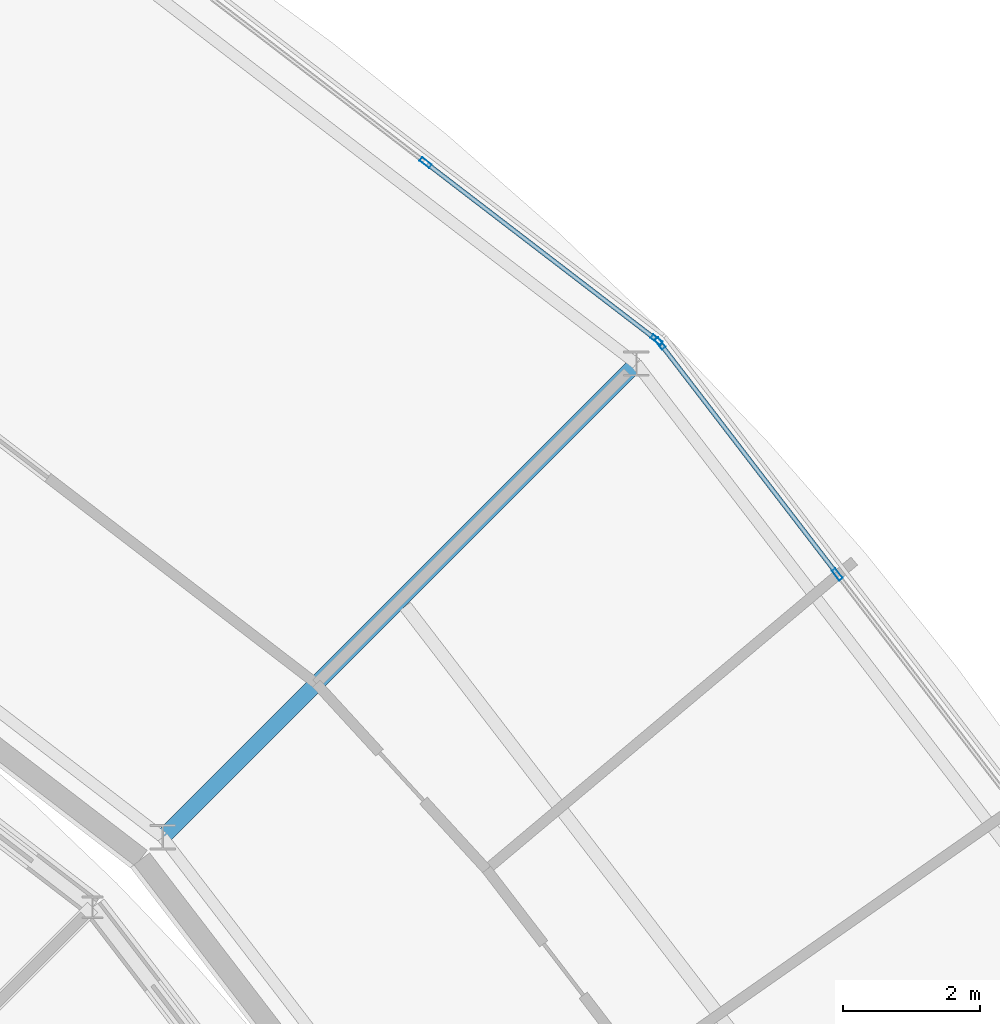
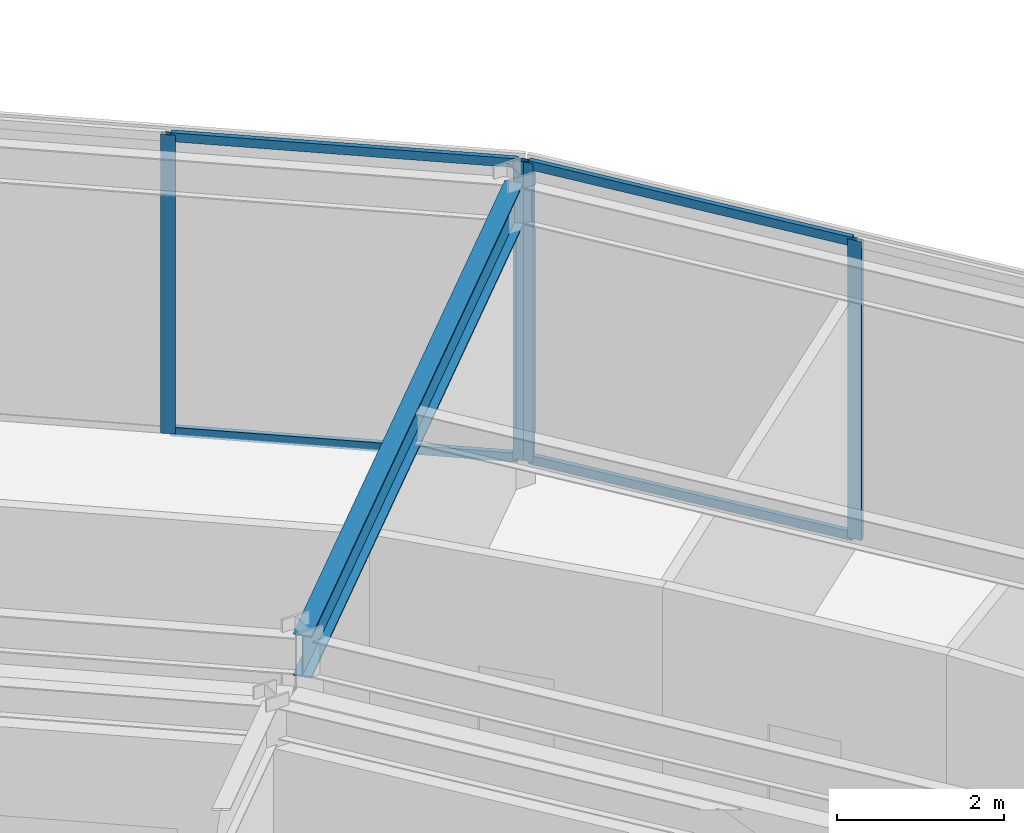
# One storey, part 86 of 157: 8 members, 1 beam, 2 elements without a shape of their own.
"""IFC4 building model written with IfcOpenShell, lengths in metres."""

from ifc_helpers import new_model, si_unit, direction, frame, origin, origin_2d, place, context, subcontext, project, spatial, hollow_rectangle, i_section, extrude, material, material_profile, profile_set, type_object, element, aggregate, save


model = new_model("IFC4")

# Units and contexts
model_context = context("Model", 3, precision=1e-05, world=origin(), true_north=direction((0.0, 1.0)))
body_context = subcontext(model_context, "Body", "Model", "MODEL_VIEW")
ifc_project = project(units=[si_unit("LENGTHUNIT", "METRE"), si_unit("AREAUNIT", "SQUARE_METRE"), si_unit("VOLUMEUNIT", "CUBIC_METRE"), si_unit("PLANEANGLEUNIT", "RADIAN"), si_unit("MASSUNIT", "GRAM", prefix="KILO")], contexts=[model_context])

# Site, building, storey
site_placement = place(None, origin())
site = spatial("IfcSite", under=ifc_project, at=site_placement, CompositionType="ELEMENT")
building_placement = place(site_placement, origin())
building = spatial("IfcBuilding", under=site, at=building_placement, Name="Almandine Court Research Institute", CompositionType="ELEMENT")
storey_placement = place(building_placement, frame((0.0, 0.0, 5.25)))
storey = spatial("IfcBuildingStorey", under=building, at=storey_placement, Name="L01", CompositionType="ELEMENT", Elevation=5.25)

# Beam
ifc_material_1 = material(Name="Steel ASTM A992 Grade 50", Category="steel")
ifc_material_profile_1 = material_profile(ifc_material_1, i_section(OverallWidth=0.22998046875, OverallDepth=0.616943359375, WebThickness=0.012939453125, FlangeThickness=0.02197265625, at=origin_2d()), Name="W610x140")
ifc_profile_set_1 = profile_set([ifc_material_profile_1], Name="Steel ASTM A992 Grade 50")
beam_type = type_object("IfcBeamType", Name="Beam-G-02", PredefinedType="BEAM", material=ifc_profile_set_1)
beam_placement = place(storey_placement, frame((114.64794921875, 83.64794921875, 4.06103515625), z_axis=(0.707106781187, 0.707106781187, 0.0), x_axis=(-0.707106781187, 0.707106781187, 0.0)))
element("IfcBeam", 1, at=beam_placement, inside=storey, type_object=beam_type, Name="L01 Drum Radial Girder 03", PredefinedType="BEAM", context=body_context, shape_type="SweptSolid", body=[
    extrude(i_section(OverallWidth=0.22998046875, OverallDepth=0.616943359375, WebThickness=0.012939453125, FlangeThickness=0.02197265625, at=origin_2d()), origin(), (0.0, 0.0, 1.0), 9.80029296875),
])

# Curtain wall, members
ifc_material_2 = material(Name="Unitised Curtain Wall Framing and Solar Glazing", Category="glass")
curtain_wall_type = type_object("IfcCurtainWallType", Name="CW-CWJ-19", PredefinedType="USERDEFINED", material=ifc_material_2)
curtain_wall_1_placement = place(storey_placement, origin())
curtain_wall_1 = element("IfcCurtainWall", 2, at=curtain_wall_1_placement, inside=storey, type_object=curtain_wall_type, Name="L01 Stacked-Ring Drum Outer Solar Jali Screen 02", ObjectType="SOLAR JALI SCREEN", PredefinedType="USERDEFINED")
ifc_material_3 = material(Name="Anodised Aluminium AW-6063-T6", Category="aluminium")
ifc_material_profile_2 = material_profile(ifc_material_3, hollow_rectangle(XDim=0.06494140625, YDim=0.179931640625, WallThickness=0.00390625, at=origin_2d()), Name="ALU RHS 65x180x4")
ifc_profile_set_2 = profile_set([ifc_material_profile_2], Name="Anodised Aluminium AW-6063-T6")
member_type_1 = type_object("IfcMemberType", Name="CWMul-65x180", PredefinedType="MULLION", material=ifc_profile_set_2)
member_1_placement = place(storey_placement, frame((121.92578125, 90.874267578125, 0.0), z_axis=(0.0, 0.0, 1.0), x_axis=(0.793382586046, 0.608723313303, 0.0)))
member_1 = element("IfcMember", 3, at=member_1_placement, type_object=member_type_1, Name="CWJ-19 mullion 1", PredefinedType="MULLION", context=body_context, shape_type="SweptSolid", body=[
    extrude(hollow_rectangle(XDim=0.06494140625, YDim=0.179931640625, WallThickness=0.00390625, at=origin_2d()), origin(), (0.0, 0.0, 1.0), 4.3701171875),
])
member_2_placement = place(storey_placement, frame((124.51904296875, 87.494384765625, 0.0), z_axis=(0.0, 0.0, 1.0), x_axis=(0.793382586046, 0.608723313303, 0.0)))
member_2 = element("IfcMember", 4, at=member_2_placement, type_object=member_type_1, Name="CWJ-19 mullion 2", PredefinedType="MULLION", context=body_context, shape_type="SweptSolid", body=[
    extrude(hollow_rectangle(XDim=0.06494140625, YDim=0.179931640625, WallThickness=0.00390625, at=origin_2d()), origin(), (0.0, 0.0, 1.0), 4.3701171875),
])

curtain_wall_2_placement = place(storey_placement, origin())
curtain_wall_2 = element("IfcCurtainWall", 5, at=curtain_wall_2_placement, inside=storey, type_object=curtain_wall_type, Name="L01 Stacked-Ring Drum Outer Solar Jali Screen 03", ObjectType="SOLAR JALI SCREEN", PredefinedType="USERDEFINED")
member_3_placement = place(storey_placement, frame((118.494384765625, 93.51904296875, 0.0), z_axis=(0.0, 0.0, 1.0), x_axis=(0.608723313303, 0.793382586046, 0.0)))
member_3 = element("IfcMember", 6, at=member_3_placement, type_object=member_type_1, Name="CWJ-19 mullion 3", PredefinedType="MULLION", context=body_context, shape_type="SweptSolid", body=[
    extrude(hollow_rectangle(XDim=0.06494140625, YDim=0.179931640625, WallThickness=0.00390625, at=origin_2d()), origin(), (0.0, 0.0, 1.0), 4.3701171875),
])
member_4_placement = place(storey_placement, frame((121.874267578125, 90.92578125, 0.0), z_axis=(0.0, 0.0, 1.0), x_axis=(0.608723313303, 0.793382586046, 0.0)))
member_4 = element("IfcMember", 7, at=member_4_placement, type_object=member_type_1, Name="CWJ-19 mullion 4", PredefinedType="MULLION", context=body_context, shape_type="SweptSolid", body=[
    extrude(hollow_rectangle(XDim=0.06494140625, YDim=0.179931640625, WallThickness=0.00390625, at=origin_2d()), origin(), (0.0, 0.0, 1.0), 4.3701171875),
])

# Member
ifc_material_profile_3 = material_profile(ifc_material_3, hollow_rectangle(XDim=0.06494140625, YDim=0.1298828125, WallThickness=0.00390625, at=origin_2d()), Name="ALU RHS 65x130x4")
ifc_profile_set_3 = profile_set([ifc_material_profile_3], Name="Anodised Aluminium AW-6063-T6")
member_type_2 = type_object("IfcMemberType", Name="CWTrn-65x130", PredefinedType="NOTDEFINED", material=ifc_profile_set_3)
member_5_placement = place(storey_placement, frame((121.945556640625, 90.848388671875, 0.032470703125), z_axis=(0.608725941364, -0.793380569658, 0.0), x_axis=(0.793380569658, 0.608725941364, 0.0)))
member_5 = element("IfcMember", 8, at=member_5_placement, type_object=member_type_2, Name="CWJ-19 transom 1.1", ObjectType="TRANSOM", PredefinedType="USERDEFINED", context=body_context, shape_type="SweptSolid", body=[
    extrude(hollow_rectangle(XDim=0.06494140625, YDim=0.1298828125, WallThickness=0.00390625, at=origin_2d()), origin(), (0.0, 0.0, 1.0), 4.195068359375),
])

member_6_placement = place(storey_placement, frame((121.945556640625, 90.848388671875, 4.33740234375), z_axis=(0.608725941364, -0.793380569658, 0.0), x_axis=(0.793380569658, 0.608725941364, 0.0)))
member_6 = element("IfcMember", 9, at=member_6_placement, type_object=member_type_2, Name="CWJ-19 transom 1.2", ObjectType="TRANSOM", PredefinedType="USERDEFINED", context=body_context, shape_type="SweptSolid", body=[
    extrude(hollow_rectangle(XDim=0.06494140625, YDim=0.1298828125, WallThickness=0.00390625, at=origin_2d()), origin(), (0.0, 0.0, 1.0), 4.195068359375),
])

aggregate(curtain_wall_1, [member_1, member_2, member_5, member_6])

member_7_placement = place(storey_placement, frame((118.52001953125, 93.499267578125, 0.032470703125), z_axis=(0.793380569658, -0.608725941364, 0.0), x_axis=(0.608725941364, 0.793380569658, 0.0)))
member_7 = element("IfcMember", 10, at=member_7_placement, type_object=member_type_2, Name="CWJ-19 transom 3.1", ObjectType="TRANSOM", PredefinedType="USERDEFINED", context=body_context, shape_type="SweptSolid", body=[
    extrude(hollow_rectangle(XDim=0.06494140625, YDim=0.1298828125, WallThickness=0.00390625, at=origin_2d()), origin(), (0.0, 0.0, 1.0), 4.195068359375),
])

member_8_placement = place(storey_placement, frame((118.52001953125, 93.499267578125, 4.33740234375), z_axis=(0.793380569658, -0.608725941364, 0.0), x_axis=(0.608725941364, 0.793380569658, 0.0)))
member_8 = element("IfcMember", 11, at=member_8_placement, type_object=member_type_2, Name="CWJ-19 transom 3.2", ObjectType="TRANSOM", PredefinedType="USERDEFINED", context=body_context, shape_type="SweptSolid", body=[
    extrude(hollow_rectangle(XDim=0.06494140625, YDim=0.1298828125, WallThickness=0.00390625, at=origin_2d()), origin(), (0.0, 0.0, 1.0), 4.195068359375),
])

aggregate(curtain_wall_2, [member_3, member_4, member_7, member_8])

save(model, "model.ifc")
